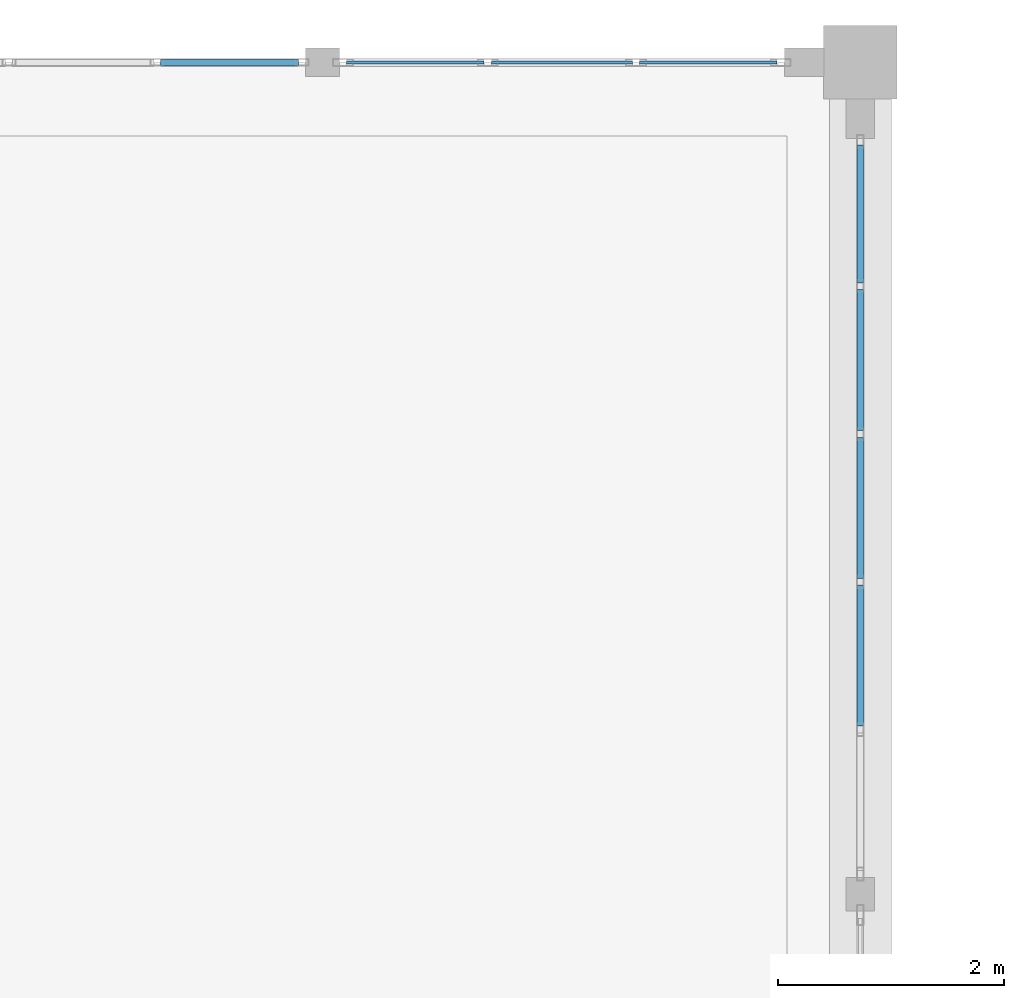
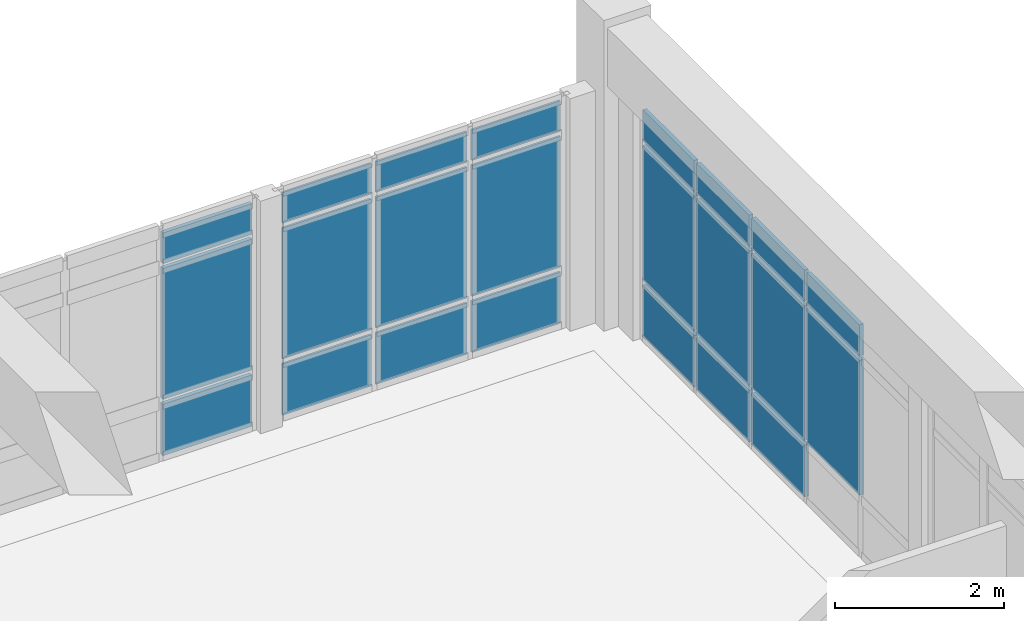
# One storey, part 82 of 109: 23 plates, 3 elements without a shape of their own.
"""IFC4 building model written with IfcOpenShell, lengths in metres."""

from ifc_helpers import new_model, si_unit, direction, frame, origin, origin_2d, place, context, subcontext, project, spatial, rectangle, extrude, material, layer, layer_set, type_object, element, aggregate, save


model = new_model("IFC4")

# Units and contexts
model_context = context("Model", 3, precision=1e-05, world=origin(), true_north=direction((0.0, 1.0)))
body_context = subcontext(model_context, "Body", "Model", "MODEL_VIEW")
ifc_project = project(units=[si_unit("LENGTHUNIT", "METRE"), si_unit("AREAUNIT", "SQUARE_METRE"), si_unit("VOLUMEUNIT", "CUBIC_METRE"), si_unit("PLANEANGLEUNIT", "RADIAN"), si_unit("MASSUNIT", "GRAM", prefix="KILO")], contexts=[model_context])

# Site, building, storey
site_placement = place(None, origin())
site = spatial("IfcSite", under=ifc_project, at=site_placement, CompositionType="ELEMENT")
building_placement = place(site_placement, origin())
building = spatial("IfcBuilding", under=site, at=building_placement, Name="Fikremerkos Civic Library", CompositionType="ELEMENT")
storey_placement = place(building_placement, frame((0.0, 0.0, 5.39990234375)))
storey = spatial("IfcBuildingStorey", under=building, at=storey_placement, Name="L01", CompositionType="ELEMENT", Elevation=5.39990234375)

# Curtain wall, plates
ifc_material_1 = material(Name="Anodized aluminium Frame", Category="aluminium")
ifc_layer_1 = layer(ifc_material_1, 0.159912109375, Name="Anodized aluminium Frame")
ifc_layer_set_1 = layer_set([ifc_layer_1], Name="Anodized aluminium Frame")
curtain_wall_type_1 = type_object("IfcCurtainWallType", Name="Unitised curtain wall CW-17 4600x3600", PredefinedType="USERDEFINED", material=ifc_layer_set_1)
curtain_wall_1_placement = place(storey_placement, origin())
curtain_wall_1 = element("IfcCurtainWall", 1, at=curtain_wall_1_placement, inside=storey, type_object=curtain_wall_type_1, Name="Unitised curtain wall CW-17 L01 #143", ObjectType="UNITISED CURTAIN WALL", PredefinedType="USERDEFINED")
ifc_material_2 = material(Name="Solar control double glazing", Category="glass")
ifc_layer_2 = layer(ifc_material_2, 0.028076171875, Name="Solar control double glazing")
ifc_layer_set_2 = layer_set([ifc_layer_2], Name="Solar control double glazing")
plate_type_1 = type_object("IfcPlateType", Name="Curtain glazing panel CWP-01 28", PredefinedType="CURTAIN_PANEL", material=ifc_layer_set_2)
plate_1_placement = place(storey_placement, frame((130.46044921875, 117.60009765625, 0.070068359375), z_axis=(0.0, 0.0, 1.0), x_axis=(1.0, 0.0, 0.0)))
plate_1 = element("IfcPlate", 2, at=plate_1_placement, type_object=plate_type_1, Name="CW-17 panel 1.1", PredefinedType="CURTAIN_PANEL", context=body_context, shape_type="SweptSolid", body=[
    extrude(rectangle(XDim=1.215576171875, YDim=0.028076171875, at=origin_2d()), origin(), (0.0, 0.0, 1.0), 0.7451171875),
])
plate_2_placement = place(storey_placement, frame((130.46044921875, 117.60009765625, 0.88525390625), z_axis=(0.0, 0.0, 1.0), x_axis=(1.0, 0.0, 0.0)))
plate_2 = element("IfcPlate", 3, at=plate_2_placement, type_object=plate_type_1, Name="CW-17 panel 1.2", PredefinedType="CURTAIN_PANEL", context=body_context, shape_type="SweptSolid", body=[
    extrude(rectangle(XDim=1.215576171875, YDim=0.028076171875, at=origin_2d()), origin(), (0.0, 0.0, 1.0), 1.897216796875),
])
plate_3_placement = place(storey_placement, frame((130.46044921875, 117.60009765625, 2.85205078125), z_axis=(0.0, 0.0, 1.0), x_axis=(1.0, 0.0, 0.0)))
plate_3 = element("IfcPlate", 4, at=plate_3_placement, type_object=plate_type_1, Name="CW-17 panel 1.3", PredefinedType="CURTAIN_PANEL", context=body_context, shape_type="SweptSolid", body=[
    extrude(rectangle(XDim=1.215576171875, YDim=0.028076171875, at=origin_2d()), origin(), (0.0, 0.0, 1.0), 0.445068359375),
])
plate_4_placement = place(storey_placement, frame((131.75732421875, 117.60009765625, 0.070068359375), z_axis=(0.0, 0.0, 1.0), x_axis=(1.0, 0.0, 0.0)))
plate_4 = element("IfcPlate", 5, at=plate_4_placement, type_object=plate_type_1, Name="CW-17 panel 2.1", PredefinedType="CURTAIN_PANEL", context=body_context, shape_type="SweptSolid", body=[
    extrude(rectangle(XDim=1.248046875, YDim=0.028076171875, at=origin_2d()), origin(), (0.0, 0.0, 1.0), 0.7451171875),
])
plate_5_placement = place(storey_placement, frame((131.75732421875, 117.60009765625, 0.88525390625), z_axis=(0.0, 0.0, 1.0), x_axis=(1.0, 0.0, 0.0)))
plate_5 = element("IfcPlate", 6, at=plate_5_placement, type_object=plate_type_1, Name="CW-17 panel 2.2", PredefinedType="CURTAIN_PANEL", context=body_context, shape_type="SweptSolid", body=[
    extrude(rectangle(XDim=1.248046875, YDim=0.028076171875, at=origin_2d()), origin(), (0.0, 0.0, 1.0), 1.897216796875),
])
plate_6_placement = place(storey_placement, frame((131.75732421875, 117.60009765625, 2.85205078125), z_axis=(0.0, 0.0, 1.0), x_axis=(1.0, 0.0, 0.0)))
plate_6 = element("IfcPlate", 7, at=plate_6_placement, type_object=plate_type_1, Name="CW-17 panel 2.3", PredefinedType="CURTAIN_PANEL", context=body_context, shape_type="SweptSolid", body=[
    extrude(rectangle(XDim=1.248046875, YDim=0.028076171875, at=origin_2d()), origin(), (0.0, 0.0, 1.0), 0.445068359375),
])
plate_7_placement = place(storey_placement, frame((133.05419921875, 117.60009765625, 0.070068359375), z_axis=(0.0, 0.0, 1.0), x_axis=(1.0, 0.0, 0.0)))
plate_7 = element("IfcPlate", 8, at=plate_7_placement, type_object=plate_type_1, Name="CW-17 panel 3.1", PredefinedType="CURTAIN_PANEL", context=body_context, shape_type="SweptSolid", body=[
    extrude(rectangle(XDim=1.215576171875, YDim=0.028076171875, at=origin_2d()), origin(), (0.0, 0.0, 1.0), 0.7451171875),
])
plate_8_placement = place(storey_placement, frame((133.05419921875, 117.60009765625, 0.88525390625), z_axis=(0.0, 0.0, 1.0), x_axis=(1.0, 0.0, 0.0)))
plate_8 = element("IfcPlate", 9, at=plate_8_placement, type_object=plate_type_1, Name="CW-17 panel 3.2", PredefinedType="CURTAIN_PANEL", context=body_context, shape_type="SweptSolid", body=[
    extrude(rectangle(XDim=1.215576171875, YDim=0.028076171875, at=origin_2d()), origin(), (0.0, 0.0, 1.0), 1.897216796875),
])
plate_9_placement = place(storey_placement, frame((133.05419921875, 117.60009765625, 2.85205078125), z_axis=(0.0, 0.0, 1.0), x_axis=(1.0, 0.0, 0.0)))
plate_9 = element("IfcPlate", 10, at=plate_9_placement, type_object=plate_type_1, Name="CW-17 panel 3.3", PredefinedType="CURTAIN_PANEL", context=body_context, shape_type="SweptSolid", body=[
    extrude(rectangle(XDim=1.215576171875, YDim=0.028076171875, at=origin_2d()), origin(), (0.0, 0.0, 1.0), 0.445068359375),
])
aggregate(curtain_wall_1, [plate_1, plate_2, plate_3, plate_4, plate_5, plate_6, plate_7, plate_8, plate_9])

ifc_layer_3 = layer(ifc_material_1, 0.159912109375, Name="Anodized aluminium Frame")
ifc_layer_set_3 = layer_set([ifc_layer_3], Name="Anodized aluminium Frame")
curtain_wall_type_2 = type_object("IfcCurtainWallType", Name="Unitised curtain wall CW-04 3400x3600", PredefinedType="USERDEFINED", material=ifc_layer_set_3)
curtain_wall_2_placement = place(storey_placement, origin())
curtain_wall_2 = element("IfcCurtainWall", 11, at=curtain_wall_2_placement, inside=storey, type_object=curtain_wall_type_2, Name="Unitised curtain wall CW-04 L01 #112", ObjectType="UNITISED CURTAIN WALL", PredefinedType="USERDEFINED")
ifc_material_3 = material(Name="Insulated aluminium spandrel", Category="aluminium")
ifc_layer_4 = layer(ifc_material_3, 0.054931640625, Name="Insulated aluminium spandrel")
ifc_layer_set_4 = layer_set([ifc_layer_4], Name="Insulated aluminium spandrel")
plate_type_2 = type_object("IfcPlateType", Name="Curtain spandrel panel CSP-02 55", PredefinedType="CURTAIN_PANEL", material=ifc_layer_set_4)
plate_10_placement = place(storey_placement, frame((134.39990234375, 116.2578125, 0.065185546875), z_axis=(0.0, 0.0, 1.0), x_axis=(0.0, -1.0, 0.0)))
plate_10 = element("IfcPlate", 12, at=plate_10_placement, type_object=plate_type_2, Name="CW-04 panel 1.1", PredefinedType="CURTAIN_PANEL", context=body_context, shape_type="SweptSolid", body=[
    extrude(rectangle(XDim=1.218505859375, YDim=0.054931640625, at=origin_2d()), origin(), (0.0, 0.0, 1.0), 0.75244140625),
])
plate_11_placement = place(storey_placement, frame((134.39990234375, 116.2578125, 0.882568359375), z_axis=(0.0, 0.0, 1.0), x_axis=(0.0, -1.0, 0.0)))
plate_11 = element("IfcPlate", 13, at=plate_11_placement, type_object=plate_type_2, Name="CW-04 panel 1.2", PredefinedType="CURTAIN_PANEL", context=body_context, shape_type="SweptSolid", body=[
    extrude(rectangle(XDim=1.218505859375, YDim=0.054931640625, at=origin_2d()), origin(), (0.0, 0.0, 1.0), 1.955078125),
])
plate_12_placement = place(storey_placement, frame((134.39990234375, 116.2578125, 2.90283203125), z_axis=(0.0, 0.0, 1.0), x_axis=(0.0, -1.0, 0.0)))
plate_12 = element("IfcPlate", 14, at=plate_12_placement, type_object=plate_type_2, Name="CW-04 panel 1.3", PredefinedType="CURTAIN_PANEL", context=body_context, shape_type="SweptSolid", body=[
    extrude(rectangle(XDim=1.218505859375, YDim=0.054931640625, at=origin_2d()), origin(), (0.0, 0.0, 1.0), 0.452392578125),
])
plate_13_placement = place(storey_placement, frame((134.39990234375, 114.964111328125, 0.065185546875), z_axis=(0.0, 0.0, 1.0), x_axis=(0.0, -1.0, 0.0)))
plate_13 = element("IfcPlate", 15, at=plate_13_placement, type_object=plate_type_2, Name="CW-04 panel 2.1", PredefinedType="CURTAIN_PANEL", context=body_context, shape_type="SweptSolid", body=[
    extrude(rectangle(XDim=1.24853515625, YDim=0.054931640625, at=origin_2d()), origin(), (0.0, 0.0, 1.0), 0.75244140625),
])
plate_14_placement = place(storey_placement, frame((134.39990234375, 114.964111328125, 0.882568359375), z_axis=(0.0, 0.0, 1.0), x_axis=(0.0, -1.0, 0.0)))
plate_14 = element("IfcPlate", 16, at=plate_14_placement, type_object=plate_type_2, Name="CW-04 panel 2.2", PredefinedType="CURTAIN_PANEL", context=body_context, shape_type="SweptSolid", body=[
    extrude(rectangle(XDim=1.24853515625, YDim=0.054931640625, at=origin_2d()), origin(), (0.0, 0.0, 1.0), 1.955078125),
])
plate_15_placement = place(storey_placement, frame((134.39990234375, 114.964111328125, 2.90283203125), z_axis=(0.0, 0.0, 1.0), x_axis=(0.0, -1.0, 0.0)))
plate_15 = element("IfcPlate", 17, at=plate_15_placement, type_object=plate_type_2, Name="CW-04 panel 2.3", PredefinedType="CURTAIN_PANEL", context=body_context, shape_type="SweptSolid", body=[
    extrude(rectangle(XDim=1.24853515625, YDim=0.054931640625, at=origin_2d()), origin(), (0.0, 0.0, 1.0), 0.452392578125),
])
plate_16_placement = place(storey_placement, frame((134.39990234375, 113.655517578125, 0.065185546875), z_axis=(0.0, 0.0, 1.0), x_axis=(0.0, -1.0, 0.0)))
plate_16 = element("IfcPlate", 18, at=plate_16_placement, type_object=plate_type_2, Name="CW-04 panel 3.1", PredefinedType="CURTAIN_PANEL", context=body_context, shape_type="SweptSolid", body=[
    extrude(rectangle(XDim=1.24853515625, YDim=0.054931640625, at=origin_2d()), origin(), (0.0, 0.0, 1.0), 0.75244140625),
])
plate_17_placement = place(storey_placement, frame((134.39990234375, 113.655517578125, 0.882568359375), z_axis=(0.0, 0.0, 1.0), x_axis=(0.0, -1.0, 0.0)))
plate_17 = element("IfcPlate", 19, at=plate_17_placement, type_object=plate_type_2, Name="CW-04 panel 3.2", PredefinedType="CURTAIN_PANEL", context=body_context, shape_type="SweptSolid", body=[
    extrude(rectangle(XDim=1.24853515625, YDim=0.054931640625, at=origin_2d()), origin(), (0.0, 0.0, 1.0), 1.955078125),
])
plate_18_placement = place(storey_placement, frame((134.39990234375, 113.655517578125, 2.90283203125), z_axis=(0.0, 0.0, 1.0), x_axis=(0.0, -1.0, 0.0)))
plate_18 = element("IfcPlate", 20, at=plate_18_placement, type_object=plate_type_2, Name="CW-04 panel 3.3", PredefinedType="CURTAIN_PANEL", context=body_context, shape_type="SweptSolid", body=[
    extrude(rectangle(XDim=1.24853515625, YDim=0.054931640625, at=origin_2d()), origin(), (0.0, 0.0, 1.0), 0.452392578125),
])
plate_19_placement = place(storey_placement, frame((134.39990234375, 112.346923828125, 0.882568359375), z_axis=(0.0, 0.0, 1.0), x_axis=(0.0, -1.0, 0.0)))
plate_19 = element("IfcPlate", 21, at=plate_19_placement, type_object=plate_type_2, Name="CW-04 panel 4.2", PredefinedType="CURTAIN_PANEL", context=body_context, shape_type="SweptSolid", body=[
    extrude(rectangle(XDim=1.24853515625, YDim=0.054931640625, at=origin_2d()), origin(), (0.0, 0.0, 1.0), 1.955078125),
])
plate_20_placement = place(storey_placement, frame((134.39990234375, 112.346923828125, 2.90283203125), z_axis=(0.0, 0.0, 1.0), x_axis=(0.0, -1.0, 0.0)))
plate_20 = element("IfcPlate", 22, at=plate_20_placement, type_object=plate_type_2, Name="CW-04 panel 4.3", PredefinedType="CURTAIN_PANEL", context=body_context, shape_type="SweptSolid", body=[
    extrude(rectangle(XDim=1.24853515625, YDim=0.054931640625, at=origin_2d()), origin(), (0.0, 0.0, 1.0), 0.452392578125),
])
aggregate(curtain_wall_2, [plate_10, plate_11, plate_12, plate_13, plate_14, plate_15, plate_16, plate_17, plate_18, plate_19, plate_20])

ifc_layer_5 = layer(ifc_material_1, 0.159912109375, Name="Anodized aluminium Frame")
ifc_layer_set_5 = layer_set([ifc_layer_5], Name="Anodized aluminium Frame")
curtain_wall_type_3 = type_object("IfcCurtainWallType", Name="Unitised curtain wall CW-16 3100x4100", PredefinedType="USERDEFINED", material=ifc_layer_set_5)
curtain_wall_3_placement = place(storey_placement, origin())
curtain_wall_3 = element("IfcCurtainWall", 23, at=curtain_wall_3_placement, inside=storey, type_object=curtain_wall_type_3, Name="Unitised curtain wall CW-16 L01 #142", ObjectType="UNITISED CURTAIN WALL", PredefinedType="USERDEFINED")
plate_21_placement = place(storey_placement, frame((128.81591796875, 117.60009765625, 0.070068359375), z_axis=(0.0, 0.0, 1.0), x_axis=(1.0, 0.0, 0.0)))
plate_21 = element("IfcPlate", 24, at=plate_21_placement, type_object=plate_type_2, Name="CW-16 panel 3.1", PredefinedType="CURTAIN_PANEL", context=body_context, shape_type="SweptSolid", body=[
    extrude(rectangle(XDim=1.22314453125, YDim=0.054931640625, at=origin_2d()), origin(), (0.0, 0.0, 1.0), 0.7451171875),
])
plate_22_placement = place(storey_placement, frame((128.81591796875, 117.60009765625, 0.88525390625), z_axis=(0.0, 0.0, 1.0), x_axis=(1.0, 0.0, 0.0)))
plate_22 = element("IfcPlate", 25, at=plate_22_placement, type_object=plate_type_2, Name="CW-16 panel 3.2", PredefinedType="CURTAIN_PANEL", context=body_context, shape_type="SweptSolid", body=[
    extrude(rectangle(XDim=1.22314453125, YDim=0.054931640625, at=origin_2d()), origin(), (0.0, 0.0, 1.0), 1.897216796875),
])
plate_23_placement = place(storey_placement, frame((128.81591796875, 117.60009765625, 2.85205078125), z_axis=(0.0, 0.0, 1.0), x_axis=(1.0, 0.0, 0.0)))
plate_23 = element("IfcPlate", 26, at=plate_23_placement, type_object=plate_type_2, Name="CW-16 panel 3.3", PredefinedType="CURTAIN_PANEL", context=body_context, shape_type="SweptSolid", body=[
    extrude(rectangle(XDim=1.22314453125, YDim=0.054931640625, at=origin_2d()), origin(), (0.0, 0.0, 1.0), 0.445068359375),
])
aggregate(curtain_wall_3, [plate_21, plate_22, plate_23])

save(model, "model.ifc")
